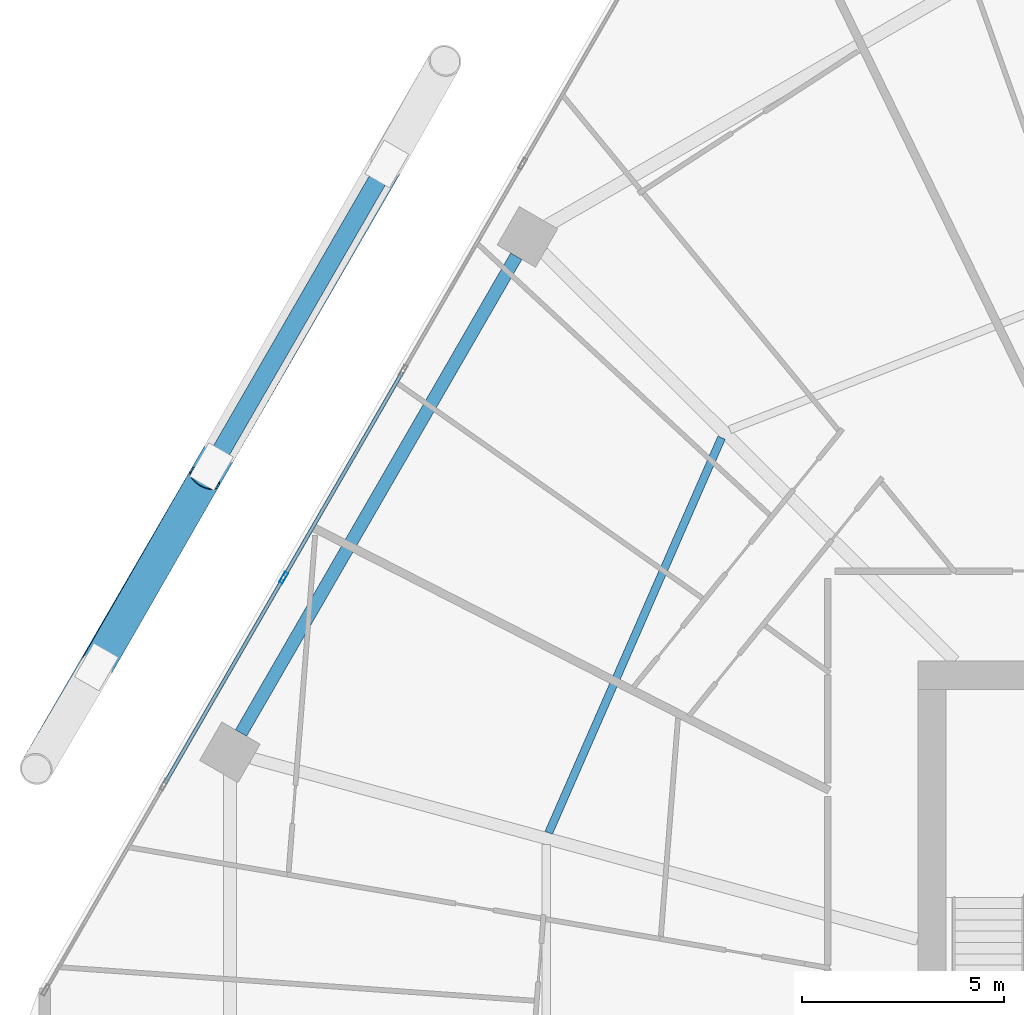
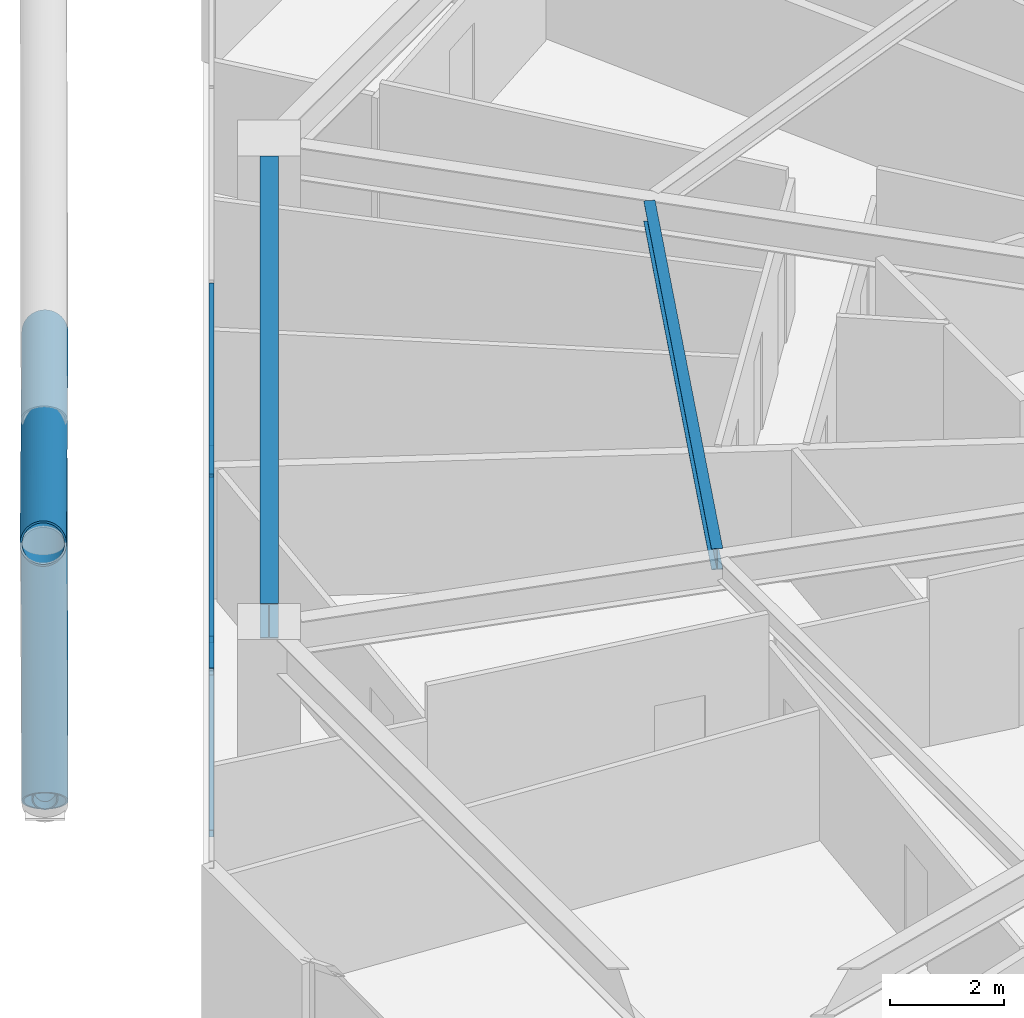
# One storey, part 15 of 35: 8 members, 2 beams, 1 element without a shape of its own.
"""IFC4 building model written with IfcOpenShell, lengths in metres."""

import ifcopenshell
import ifcopenshell.guid

model = None  # the IFC model being written
_history = None  # IfcOwnerHistory: only IFC2X3 demands one
_inside = {}  # id of a spatial element -> (the spatial element, [elements in it])
_under = {}  # id of a project, library or spatial element -> (it, [spatial elements below it])
_declared = {}  # id of a project -> (the project, [libraries it declares])
_typed = {}  # id of a type object -> (the type object, [elements of that type])
_made_of = {}  # id of a material, layer set ... -> (it, [elements and type objects made of it])


def new_model(schema):
    """Start an empty IFC model of exactly this schema.

    Asked for "IFC4X3", IfcOpenShell would pick the latest addendum, in which some entities
    have other attributes; the version numbers below select the first issue.
    IFC2X3 requires an IfcOwnerHistory on every rooted entity: one is made here for all.
    """
    global model, _history
    if schema == "IFC4X3":
        model = ifcopenshell.file(schema_version=(4, 3, 0, 0))
    else:
        model = ifcopenshell.file(schema=schema)
    _inside.clear()
    _under.clear()
    _declared.clear()
    _typed.clear()
    _made_of.clear()
    _history = None
    if model.schema == "IFC2X3":
        org = make("IfcOrganization", Name="unknown")
        user = make(
            "IfcPersonAndOrganization",
            ThePerson=make("IfcPerson", FamilyName="unknown"),
            TheOrganization=org,
        )
        app = make(
            "IfcApplication",
            ApplicationDeveloper=org,
            Version="unknown",
            ApplicationFullName="unknown",
            ApplicationIdentifier="unknown",
        )
        _history = make(
            "IfcOwnerHistory",
            OwningUser=user,
            OwningApplication=app,
            ChangeAction="ADDED",
            CreationDate=0,
        )
    return model


def make(cls, **values):
    """One entity of the class cls with the attributes given. An attribute that is None is left unset."""
    return model.create_entity(
        cls, **{name: value for name, value in values.items() if value is not None}
    )


def rooted(cls, **values):
    """An entity with a GlobalId (a new one), such as an element, a storey or a relation."""
    return make(cls, GlobalId=ifcopenshell.guid.new(), OwnerHistory=_history, **values)


def si_unit(unit_type, name, prefix=None):
    """IfcSIUnit, for example si_unit("LENGTHUNIT", "METRE", prefix="MILLI")."""
    return make("IfcSIUnit", UnitType=unit_type, Prefix=prefix, Name=name)


def assignment(units):
    """IfcUnitAssignment: the units of a project."""
    return None if units is None else make("IfcUnitAssignment", Units=units)


def point(xyz):
    """IfcCartesianPoint."""
    return None if xyz is None else make("IfcCartesianPoint", Coordinates=xyz)


def direction(xyz):
    """IfcDirection."""
    return None if xyz is None else make("IfcDirection", DirectionRatios=xyz)


def frame(location, z_axis=None, x_axis=None):
    """IfcAxis2Placement3D, a coordinate frame: its origin and axes. An axis left out is left unset."""
    return make(
        "IfcAxis2Placement3D",
        Location=point(location),
        Axis=direction(z_axis),
        RefDirection=direction(x_axis),
    )


def frame_2d(location, x_axis=None):
    """IfcAxis2Placement2D, a coordinate frame in the plane: its origin and x axis."""
    return make(
        "IfcAxis2Placement2D", Location=point(location), RefDirection=direction(x_axis)
    )


def origin():
    """The frame at (0, 0, 0) with its axes left unset."""
    return frame((0.0, 0.0, 0.0))


def origin_2d():
    """The frame at (0, 0) in the plane with its x axis left unset."""
    return frame_2d((0.0, 0.0))


def place(relative_to, where):
    """IfcLocalPlacement: puts the frame where relative to a parent placement (None: the world)."""
    return make(
        "IfcLocalPlacement", PlacementRelTo=relative_to, RelativePlacement=where
    )


def context(
    kind, dimensions, precision=None, world=None, true_north=None, identifier=None
):
    """IfcGeometricRepresentationContext, for example the 3D "Model" context."""
    return make(
        "IfcGeometricRepresentationContext",
        ContextIdentifier=identifier,
        ContextType=kind,
        CoordinateSpaceDimension=dimensions,
        Precision=precision,
        WorldCoordinateSystem=world,
        TrueNorth=true_north,
    )


def subcontext(parent, identifier, kind, view, scale=None):
    """IfcGeometricRepresentationSubContext, for example "Body" below "Model"."""
    return make(
        "IfcGeometricRepresentationSubContext",
        ContextIdentifier=identifier,
        ContextType=kind,
        ParentContext=parent,
        TargetScale=scale,
        TargetView=view,
    )


def project(units=None, contexts=None):
    """IfcProject with its units and contexts."""
    return rooted(
        "IfcProject",
        Name="project",
        RepresentationContexts=contexts,
        UnitsInContext=assignment(units),
    )


def spatial(cls, under=None, at=None, **own):
    """A site, building, storey or space (cls), placed at a placement, below another one or the project."""
    s = rooted(cls, ObjectPlacement=at, **own)
    if under is not None:
        _under.setdefault(under.id(), (under, []))[1].append(s)
    return s


def profile(cls, at=None, kind="AREA", **sizes):
    """A parametric profile (cls). Its sizes go by their IFC names, for example OverallWidth=200.0."""
    return make(cls, ProfileType=kind, Position=at, **sizes)


def hollow_rectangle(**sizes):
    """IfcRectangleHollowProfileDef."""
    return profile("IfcRectangleHollowProfileDef", **sizes)


def hollow_circle(**sizes):
    """IfcCircleHollowProfileDef."""
    return profile("IfcCircleHollowProfileDef", **sizes)


def i_section(**sizes):
    """IfcIShapeProfileDef."""
    return profile("IfcIShapeProfileDef", **sizes)


def extrude(swept, where, along, depth):
    """IfcExtrudedAreaSolid: the profile swept, set in the frame where, extruded along a direction by depth."""
    return make(
        "IfcExtrudedAreaSolid",
        SweptArea=swept,
        Position=where,
        ExtrudedDirection=direction(along),
        Depth=depth,
    )


def shape(context_of_items, identifier, shape_type, items):
    """IfcShapeRepresentation: the items that make up one representation, for example the "Body"."""
    return make(
        "IfcShapeRepresentation",
        ContextOfItems=context_of_items,
        RepresentationIdentifier=identifier,
        RepresentationType=shape_type,
        Items=items,
    )


def material(Name=None, Category=None):
    """IfcMaterial."""
    return make("IfcMaterial", Name=Name, Category=Category)


def material_profile(
    of_material, cross_section, Name=None, Category=None, Priority=None
):
    """IfcMaterialProfile: a cross section and its material."""
    return make(
        "IfcMaterialProfile",
        Name=Name,
        Material=of_material,
        Profile=cross_section,
        Priority=Priority,
        Category=Category,
    )


def profile_set(profiles, Name=None, composite=None):
    """IfcMaterialProfileSet."""
    return make(
        "IfcMaterialProfileSet",
        Name=Name,
        MaterialProfiles=profiles,
        CompositeProfile=composite,
    )


def made_of(thing, what):
    """Note that an element or type object is made of a material, layer set ...; save() writes the relation."""
    if what is not None:
        _made_of.setdefault(what.id(), (what, []))[1].append(thing)
    return thing


def type_object(cls, material=None, **own):
    """A type object (cls), such as IfcWallType, which elements share."""
    return made_of(rooted(cls, **own), material)


def element(
    cls,
    number,
    at=None,
    inside=None,
    cuts=None,
    type_object=None,
    material=None,
    context=None,
    identifier="Body",
    shape_type=None,
    held_by="IfcProductDefinitionShape",
    body=None,
    shapes=None,
    **own,
):
    """One element of the class cls, such as IfcWall. Its Tag is "e" and its number.

    at: its placement. inside: the storey or other place that contains it. cuts: it is an
    opening in that element (IfcRelVoidsElement). A single representation is given by context,
    identifier, shape_type and body (its items); several are given by shapes. held_by: the class
    of the entity that holds the representations. save() writes the other relations.
    """
    e = rooted(cls, Tag="e%d" % number, ObjectPlacement=at, **own)
    if body is not None:
        shapes = [shape(context, identifier, shape_type, body)]
    if shapes is not None:
        e.Representation = make(held_by, Representations=shapes)
    if inside is not None:
        _inside.setdefault(inside.id(), (inside, []))[1].append(e)
    if cuts is not None:
        rooted(
            "IfcRelVoidsElement", RelatingBuildingElement=cuts, RelatedOpeningElement=e
        )
    if type_object is not None:
        _typed.setdefault(type_object.id(), (type_object, []))[1].append(e)
    return made_of(e, material)


def aggregate(whole, parts):
    """IfcRelAggregates: a whole, such as a stair, and the parts it consists of."""
    return rooted("IfcRelAggregates", RelatingObject=whole, RelatedObjects=parts)


def save(model, path):
    """Write the relations noted so far, then the file.

    IfcRelAggregates (storeys below a building ...), IfcRelContainedInSpatialStructure (elements
    in a storey), IfcRelDefinesByType, IfcRelAssociatesMaterial and IfcRelDeclares: one each for
    every whole, place, type object, material and project.
    """
    for whole, parts in _under.values():
        aggregate(whole, parts)
    for where, things in _inside.values():
        rooted(
            "IfcRelContainedInSpatialStructure",
            RelatedElements=things,
            RelatingStructure=where,
        )
    for kind, things in _typed.values():
        rooted("IfcRelDefinesByType", RelatedObjects=things, RelatingType=kind)
    for what, things in _made_of.values():
        rooted("IfcRelAssociatesMaterial", RelatedObjects=things, RelatingMaterial=what)
    for by, libraries in _declared.values():
        rooted("IfcRelDeclares", RelatingContext=by, RelatedDefinitions=libraries)
    model.write(path)


model = new_model("IFC4")

# Units and contexts
model_context = context("Model", 3, precision=1e-05, world=origin(), true_north=direction((0.0, 1.0)))
body_context = subcontext(model_context, "Body", "Model", "MODEL_VIEW")
ifc_project = project(units=[si_unit("LENGTHUNIT", "METRE"), si_unit("AREAUNIT", "SQUARE_METRE"), si_unit("VOLUMEUNIT", "CUBIC_METRE"), si_unit("PLANEANGLEUNIT", "RADIAN"), si_unit("MASSUNIT", "GRAM", prefix="KILO")], contexts=[model_context])

# Site, building, storey
site_placement = place(None, origin())
site = spatial("IfcSite", under=ifc_project, at=site_placement, CompositionType="ELEMENT")
building_placement = place(site_placement, origin())
building = spatial("IfcBuilding", under=site, at=building_placement, Name="Zuhravey Tower", CompositionType="ELEMENT")
storey_placement = place(building_placement, frame((0.0, 0.0, 115.199951171875)))
storey = spatial("IfcBuildingStorey", under=building, at=storey_placement, Name="L28", CompositionType="ELEMENT", Elevation=115.199951171875)

# Curtain wall, members
ifc_material_1 = material(Name="Thermally broken anodised aluminium", Category="aluminium")
curtain_wall_type = type_object("IfcCurtainWallType", Name="Zone 1-2 Residential Curtain Wall CW3", PredefinedType="NOTDEFINED", material=ifc_material_1)
curtain_wall_placement = place(storey_placement, origin())
curtain_wall = element("IfcCurtainWall", 1, at=curtain_wall_placement, inside=storey, type_object=curtain_wall_type, Name="L28 CW3 CW-L28-F3-1", PredefinedType="NOTDEFINED")
ifc_material_2 = material(Name="Anodised aluminium", Category="aluminium")
ifc_material_profile_1 = material_profile(ifc_material_2, hollow_rectangle(XDim=0.090087890625, YDim=0.284912109375, WallThickness=0.0048828125, at=origin_2d()), Name="ALU-RHS-90x285x5")
ifc_profile_set_1 = profile_set([ifc_material_profile_1], Name="Anodised aluminium")
member_type_1 = type_object("IfcMemberType", Name="Curtain-Wall Mullion 90x180", PredefinedType="MULLION", material=ifc_profile_set_1)
member_1_placement = place(storey_placement, frame((9.44140625, 43.916015625, 0.0), z_axis=(0.0, 0.0, 1.0), x_axis=(-0.86602552265, 0.499999794119, 0.0)))
member_1 = element("IfcMember", 2, at=member_1_placement, type_object=member_type_1, Name="CW3 mullion 3", PredefinedType="MULLION", context=body_context, shape_type="SweptSolid", body=[
    extrude(hollow_rectangle(XDim=0.090087890625, YDim=0.284912109375, WallThickness=0.0048828125, at=origin_2d()), origin(), (0.0, 0.0, 1.0), 3.550048828125),
])
ifc_material_profile_2 = material_profile(ifc_material_2, hollow_rectangle(XDim=0.090087890625, YDim=0.14990234375, WallThickness=0.0048828125, at=origin_2d()), Name="ALU-RHS-90x150x5")
ifc_profile_set_2 = profile_set([ifc_material_profile_2], Name="Anodised aluminium")
member_type_2 = type_object("IfcMemberType", Name="Curtain-Wall Transom 90x150", PredefinedType="USERDEFINED", material=ifc_profile_set_2)
member_2_placement = place(storey_placement, frame((6.50390625, 38.828125, 0.045166015625), z_axis=(0.499981042766, 0.866036348472, 0.0), x_axis=(-0.866036348472, 0.499981042766, 0.0)))
member_2 = element("IfcMember", 3, at=member_2_placement, type_object=member_type_2, Name="CW3 transom 2.1", ObjectType="TRANSOM", PredefinedType="USERDEFINED", context=body_context, shape_type="SweptSolid", body=[
    extrude(hollow_rectangle(XDim=0.090087890625, YDim=0.14990234375, WallThickness=0.0048828125, at=origin_2d()), origin(), (0.0, 0.0, 1.0), 5.829833984375),
])
member_3_placement = place(storey_placement, frame((6.50390625, 38.828125, 3.505126953125), z_axis=(0.499981042766, 0.866036348472, 0.0), x_axis=(-0.866036348472, 0.499981042766, 0.0)))
member_3 = element("IfcMember", 4, at=member_3_placement, type_object=member_type_2, Name="CW3 transom 2.2", ObjectType="TRANSOM", PredefinedType="USERDEFINED", context=body_context, shape_type="SweptSolid", body=[
    extrude(hollow_rectangle(XDim=0.090087890625, YDim=0.14990234375, WallThickness=0.0048828125, at=origin_2d()), origin(), (0.0, 0.0, 1.0), 5.829833984375),
])
member_4_placement = place(storey_placement, frame((9.4638671875, 43.954833984375, 0.045166015625), z_axis=(0.499981042766, 0.866036348472, 0.0), x_axis=(-0.866036348472, 0.499981042766, 0.0)))
member_4 = element("IfcMember", 5, at=member_4_placement, type_object=member_type_2, Name="CW3 transom 3.1", ObjectType="TRANSOM", PredefinedType="USERDEFINED", context=body_context, shape_type="SweptSolid", body=[
    extrude(hollow_rectangle(XDim=0.090087890625, YDim=0.14990234375, WallThickness=0.0048828125, at=origin_2d()), origin(), (0.0, 0.0, 1.0), 5.829833984375),
])
member_5_placement = place(storey_placement, frame((9.4638671875, 43.954833984375, 3.505126953125), z_axis=(0.499981042766, 0.866036348472, 0.0), x_axis=(-0.866036348472, 0.499981042766, 0.0)))
member_5 = element("IfcMember", 6, at=member_5_placement, type_object=member_type_2, Name="CW3 transom 3.2", ObjectType="TRANSOM", PredefinedType="USERDEFINED", context=body_context, shape_type="SweptSolid", body=[
    extrude(hollow_rectangle(XDim=0.090087890625, YDim=0.14990234375, WallThickness=0.0048828125, at=origin_2d()), origin(), (0.0, 0.0, 1.0), 5.829833984375),
])
aggregate(curtain_wall, [member_1, member_2, member_3, member_4, member_5])

# Members
ifc_material_3 = material(Name="Steel SM355", Category="steel")
ifc_material_profile_3 = material_profile(ifc_material_3, hollow_circle(Radius=0.228515625, WallThickness=0.02197265625, at=origin_2d()), Name="CHS-457.2x22")
ifc_profile_set_3 = profile_set([ifc_material_profile_3], Name="Steel SM355")
member_type_3 = type_object("IfcMemberType", Name="Exoskeleton Ring Tie CHS457x22", PredefinedType="CHORD", material=ifc_profile_set_3)
member_6_placement = place(storey_placement, frame((11.927978515625, 54.04296875, -0.4638671875), z_axis=(-0.499995593262, -0.866027948001, 0.0), x_axis=(0.866027948001, -0.499995593262, 0.0)))
element("IfcMember", 7, at=member_6_placement, inside=storey, type_object=member_type_3, Name="L28 Exoskeleton Face 3 Tie EXR1", PredefinedType="CHORD", context=body_context, shape_type="SweptSolid", body=[
    extrude(hollow_circle(Radius=0.228515625, WallThickness=0.02197265625, at=origin_2d()), origin(), (0.0, 0.0, 1.0), 14.107666015625),
])
ifc_material_4 = material(Name="Steel SM460", Category="steel")
ifc_material_profile_4 = material_profile(ifc_material_4, hollow_circle(Radius=0.406494140625, WallThickness=0.035888671875, at=origin_2d()), Name="CHS-812.8x36")
ifc_profile_set_4 = profile_set([ifc_material_profile_4], Name="Steel SM460")
member_type_4 = type_object("IfcMemberType", Name="Exoskeleton Zone 1 Diagrid CHS813x36", PredefinedType="BRACE", material=ifc_profile_set_4)
member_7_placement = place(storey_placement, frame((11.972900390625, 54.120849609375, -0.44189453125), z_axis=(-0.459283798788, -0.792320999893, 0.401604065342), x_axis=(0.865155504501, -0.501503691942, 0.0)))
element("IfcMember", 8, at=member_7_placement, inside=storey, type_object=member_type_4, Name="L28 Face 3 Diagrid Brace 2", PredefinedType="BRACE", context=body_context, shape_type="SweptSolid", body=[
    extrude(hollow_circle(Radius=0.406494140625, WallThickness=0.035888671875, at=origin_2d()), origin(), (0.0, 0.0, 1.0), 18.814208984375),
])
member_8_placement = place(storey_placement, frame((4.826904296875, 41.743896484375, -0.43359375), z_axis=(0.414651397622, 0.722520550003, 0.553198222406), x_axis=(-0.867319908448, 0.497751118943, 0.0)))
element("IfcMember", 9, at=member_8_placement, inside=storey, type_object=member_type_4, Name="L28 Face 3 Split Diagrid Brace 3A", PredefinedType="BRACE", context=body_context, shape_type="SweptSolid", body=[
    extrude(hollow_circle(Radius=0.406494140625, WallThickness=0.035888671875, at=origin_2d()), origin(), (0.0, 0.0, 1.0), 6.417724609375),
])

# Beams
ifc_material_profile_5 = material_profile(ifc_material_3, i_section(OverallWidth=0.320068359375, OverallDepth=0.75, WebThickness=0.013916015625, FlangeThickness=0.02490234375, at=origin_2d()), Name="H-750x320x14x25")
ifc_profile_set_5 = profile_set([ifc_material_profile_5], Name="Steel SM355")
beam_type_1 = type_object("IfcBeamType", Name="Perimeter Ring Beam H750x320", PredefinedType="BEAM", material=ifc_profile_set_5)
beam_1_placement = place(storey_placement, frame((15.20458984375, 51.8779296875, 3.175048828125), z_axis=(-0.500008177929, -0.866020682204, 0.0), x_axis=(0.866020682204, -0.500008177929, 0.0)))
element("IfcBeam", 10, at=beam_1_placement, inside=storey, type_object=beam_type_1, Name="L28 PB1 BM-L28-PB-05", PredefinedType="BEAM", context=body_context, shape_type="SweptSolid", body=[
    extrude(i_section(OverallWidth=0.320068359375, OverallDepth=0.75, WebThickness=0.013916015625, FlangeThickness=0.02490234375, at=origin_2d()), origin(), (0.0, 0.0, 1.0), 13.634033203125),
])
ifc_material_profile_6 = material_profile(ifc_material_3, i_section(OverallWidth=0.199951171875, OverallDepth=0.449951171875, WebThickness=0.009033203125, FlangeThickness=0.013916015625, at=origin_2d()), Name="H-450x200x9x14")
ifc_profile_set_6 = profile_set([ifc_material_profile_6], Name="Steel SM355")
beam_type_2 = type_object("IfcBeamType", Name="Secondary Floor Joist H450x200", PredefinedType="JOIST", material=ifc_profile_set_6)
beam_2_placement = place(storey_placement, frame((20.28955078125, 47.384033203125, 3.324951171875), z_axis=(-0.400786454617, -0.916171500209, 0.0), x_axis=(0.916171500209, -0.400786454617, 0.0)))
element("IfcBeam", 11, at=beam_2_placement, inside=storey, type_object=beam_type_2, Name="L28 SJ1 BM-L28-SJ-05-1", PredefinedType="JOIST", context=body_context, shape_type="SweptSolid", body=[
    extrude(i_section(OverallWidth=0.199951171875, OverallDepth=0.449951171875, WebThickness=0.009033203125, FlangeThickness=0.013916015625, at=origin_2d()), origin(), (0.0, 0.0, 1.0), 10.6796875),
])

save(model, "model.ifc")
